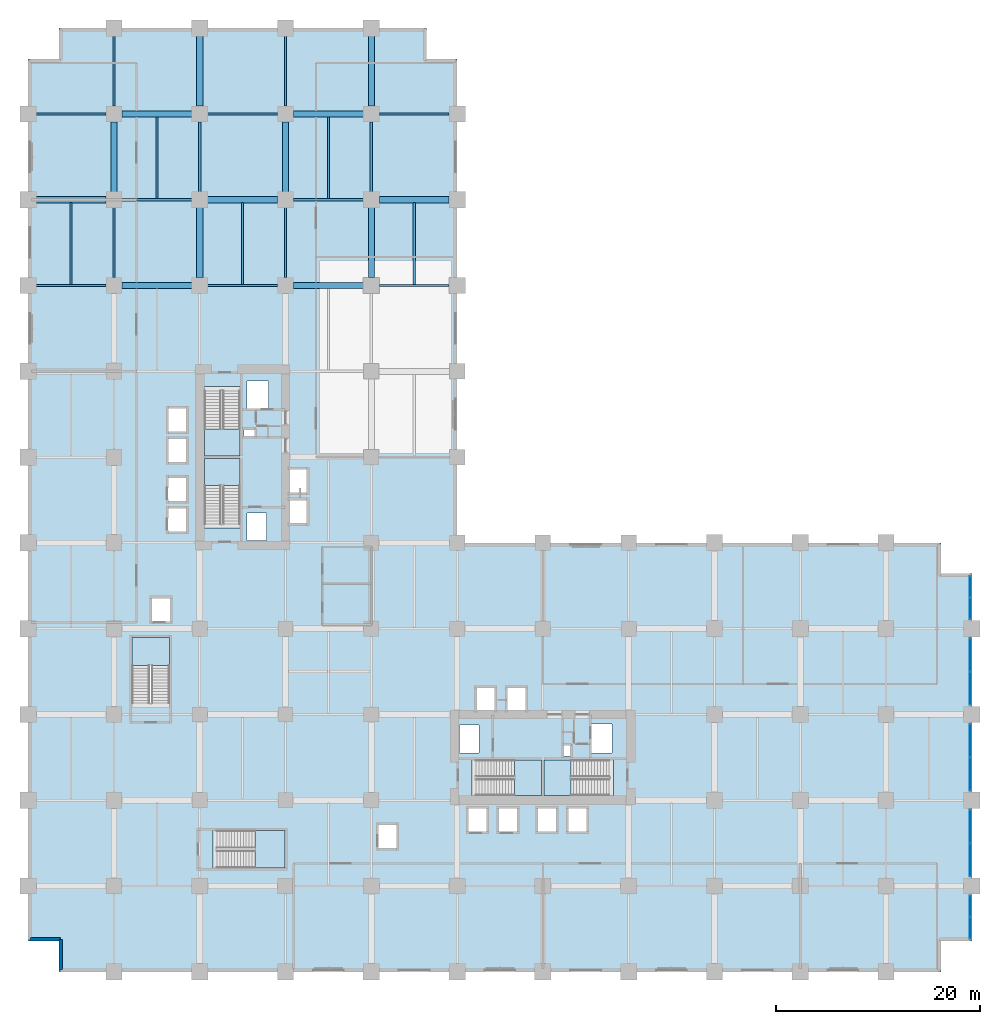
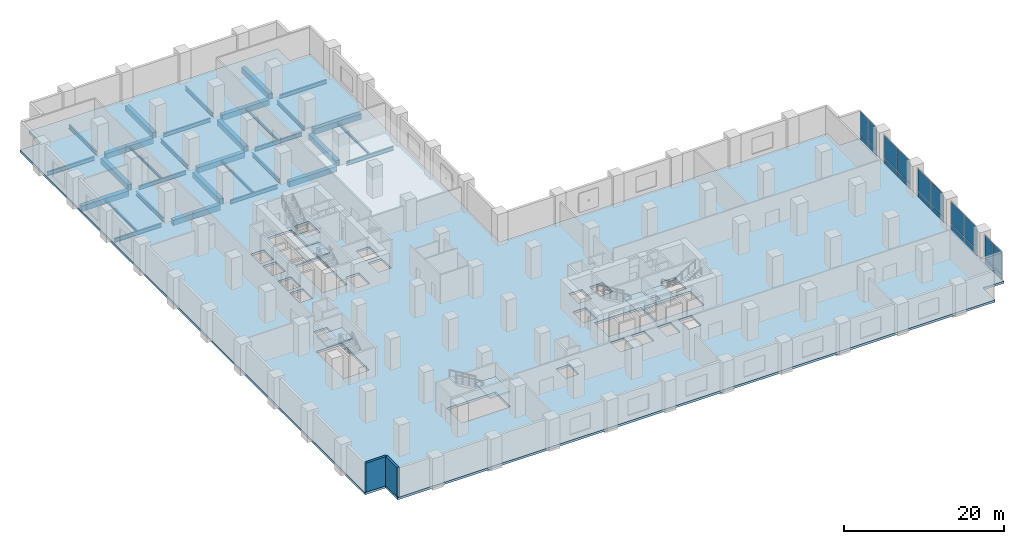
# One storey, part 8 of 22: 32 beams, 20 plates, 7 slabs, 2 walls, 11 elements without a shape of their own.
"""IFC4 building model written with IfcOpenShell, lengths in metres."""

from ifc_helpers import new_model, si_unit, direction, frame, frame_2d, origin, origin_2d, place, context, subcontext, project, spatial, polyline, rectangle, i_section, outline, extrude, material, layer, layer_set, material_profile, profile_set, type_object, element, aggregate, save


model = new_model("IFC4")

# Units and contexts
model_context = context("Model", 3, precision=1e-05, world=origin(), true_north=direction((0.0, 1.0)))
body_context = subcontext(model_context, "Body", "Model", "MODEL_VIEW")
ifc_project = project(units=[si_unit("LENGTHUNIT", "METRE"), si_unit("AREAUNIT", "SQUARE_METRE"), si_unit("VOLUMEUNIT", "CUBIC_METRE"), si_unit("PLANEANGLEUNIT", "RADIAN"), si_unit("MASSUNIT", "GRAM", prefix="KILO")], contexts=[model_context])

# Site, building, storey
site_placement = place(None, origin())
site = spatial("IfcSite", under=ifc_project, at=site_placement, CompositionType="ELEMENT")
building_placement = place(site_placement, origin())
building = spatial("IfcBuilding", under=site, at=building_placement, Name="Koriwani Terraces Tower", CompositionType="ELEMENT")
storey_placement = place(building_placement, frame((0.0, 0.0, 10.800048828125)))
storey = spatial("IfcBuildingStorey", under=building, at=storey_placement, Name="L02", CompositionType="ELEMENT", Elevation=10.800048828125)

# Beams
ifc_material_1 = material(Name="Concrete C60/75", Category="concrete")
ifc_material_profile_1 = material_profile(ifc_material_1, rectangle(XDim=0.60009765625, YDim=0.85009765625, at=origin_2d()), Name="Concrete C60/75", Category="LoadBearing")
ifc_profile_set_1 = profile_set([ifc_material_profile_1], Name="Concrete C60/75")
beam_type_1 = type_object("IfcBeamType", Name="BEAM_RC_GRID_600X850", PredefinedType="BEAM", material=ifc_profile_set_1)
for number, where, z_axis, x_axis, name in (
    (1, (9.179931640625, 67.199951171875, -0.775146484375), (1.0, 0.0, 0.0), (0.0, 1.0, 0.0), "L02 Grid Beam I (8.4-16.8m)"),
    (2, (25.97998046875, 67.199951171875, -0.775146484375), (1.0, 0.0, 0.0), (0.0, 1.0, 0.0), "L02 Grid Beam I (25.2-33.6m)"),
    (3, (0.780029296875, 75.60009765625, -0.775146484375), (1.0, 0.0, 0.0), (0.0, 1.0, 0.0), "L02 Grid Beam J (0.0-8.4m)"),
):
    element("IfcBeam", number, at=place(storey_placement, frame(where, z_axis=z_axis, x_axis=x_axis)), inside=storey, type_object=beam_type_1, Name=name, PredefinedType="BEAM", context=body_context, shape_type="SweptSolid", body=[
        extrude(rectangle(XDim=0.60009765625, YDim=0.85009765625, at=origin_2d()), origin(), (0.0, 0.0, 1.0), 6.840087890625),
    ])
beam_1_placement = place(storey_placement, frame((17.580078125, 75.60009765625, -0.775146484375), z_axis=(1.0, 0.0, 0.0), x_axis=(0.0, 1.0, 0.0)))
element("IfcBeam", 4, at=beam_1_placement, inside=storey, type_object=beam_type_1, Name="L02 Grid Beam J (16.8-25.2m)", PredefinedType="BEAM", context=body_context, shape_type="SweptSolid", body=[
    extrude(rectangle(XDim=0.60009765625, YDim=0.85009765625, at=origin_2d()), origin(), (0.0, 0.0, 1.0), 6.83984375),
])
for number, where, z_axis, x_axis, name in (
    (5, (34.3798828125, 75.60009765625, -0.775146484375), (1.0, 0.0, 0.0), (0.0, 1.0, 0.0), "L02 Grid Beam J (33.6-42.0m)"),
    (6, (9.179931640625, 84.0, -0.775146484375), (1.0, 0.0, 0.0), (0.0, 1.0, 0.0), "L02 Grid Beam K (8.4-16.8m)"),
    (7, (25.97998046875, 84.0, -0.775146484375), (1.0, 0.0, 0.0), (0.0, 1.0, 0.0), "L02 Grid Beam K (25.2-33.6m)"),
    (8, (8.39990234375, 76.3798828125, -0.775146484375), (0.0, 1.0, 0.0), (-1.0, 0.0, 0.0), "L02 Grid Beam 2 (75.6-84.0m)"),
    (9, (16.800048828125, 67.97998046875, -0.775146484375), (0.0, 1.0, 0.0), (-1.0, 0.0, 0.0), "L02 Grid Beam 3 (67.2-75.6m)"),
    (10, (16.800048828125, 84.780029296875, -0.775146484375), (0.0, 1.0, 0.0), (-1.0, 0.0, 0.0), "L02 Grid Beam 3 (84.0-92.4m)"),
    (11, (25.199951171875, 76.3798828125, -0.775146484375), (0.0, 1.0, 0.0), (-1.0, 0.0, 0.0), "L02 Grid Beam 4 (75.6-84.0m)"),
    (12, (33.60009765625, 67.97998046875, -0.775146484375), (0.0, 1.0, 0.0), (-1.0, 0.0, 0.0), "L02 Grid Beam 5 (67.2-75.6m)"),
    (13, (33.60009765625, 84.780029296875, -0.775146484375), (0.0, 1.0, 0.0), (-1.0, 0.0, 0.0), "L02 Grid Beam 5 (84.0-92.4m)"),
):
    element("IfcBeam", number, at=place(storey_placement, frame(where, z_axis=z_axis, x_axis=x_axis)), inside=storey, type_object=beam_type_1, Name=name, PredefinedType="BEAM", context=body_context, shape_type="SweptSolid", body=[
        extrude(rectangle(XDim=0.60009765625, YDim=0.85009765625, at=origin_2d()), origin(), (0.0, 0.0, 1.0), 6.840087890625),
    ])
ifc_material_2 = material(Name="Steel ASTM A572 Grade 50", Category="steel")
ifc_material_profile_2 = material_profile(ifc_material_2, i_section(OverallWidth=0.205078125, OverallDepth=0.35400390625, WebThickness=0.009521484375, FlangeThickness=0.016845703125, at=origin_2d()), Name="Steel ASTM A572 Grade 50", Category="LoadBearing")
ifc_profile_set_2 = profile_set([ifc_material_profile_2], Name="Steel ASTM A572 Grade 50")
beam_type_2 = type_object("IfcBeamType", Name="STEEL_BEAM_W360X79", PredefinedType="JOIST", material=ifc_profile_set_2)
beam_2_placement = place(storey_placement, frame((4.199951171875, 67.305419921875, -0.527099609375), z_axis=(0.0, 1.0, 0.0), x_axis=(-1.0, 0.0, 0.0)))
element("IfcBeam", 14, at=beam_2_placement, inside=storey, type_object=beam_type_2, Name="L02 Secondary Steel Floor Joist X=4.2m", PredefinedType="JOIST", context=body_context, shape_type="SweptSolid", body=[
    extrude(i_section(OverallWidth=0.205078125, OverallDepth=0.35400390625, WebThickness=0.009521484375, FlangeThickness=0.016845703125, at=origin_2d()), origin(), (0.0, 0.0, 1.0), 8.004638671875),
])
beam_3_placement = place(storey_placement, frame((12.60009765625, 75.70556640625, -0.527099609375), z_axis=(0.0, 1.0, 0.0), x_axis=(-1.0, 0.0, 0.0)))
element("IfcBeam", 15, at=beam_3_placement, inside=storey, type_object=beam_type_2, Name="L02 Secondary Steel Floor Joist X=12.6m", PredefinedType="JOIST", context=body_context, shape_type="SweptSolid", body=[
    extrude(i_section(OverallWidth=0.205078125, OverallDepth=0.35400390625, WebThickness=0.009521484375, FlangeThickness=0.016845703125, at=origin_2d()), origin(), (0.0, 0.0, 1.0), 8.00439453125),
])
beam_4_placement = place(storey_placement, frame((21.0, 67.305419921875, -0.527099609375), z_axis=(0.0, 1.0, 0.0), x_axis=(-1.0, 0.0, 0.0)))
element("IfcBeam", 16, at=beam_4_placement, inside=storey, type_object=beam_type_2, Name="L02 Secondary Steel Floor Joist X=21.0m", PredefinedType="JOIST", context=body_context, shape_type="SweptSolid", body=[
    extrude(i_section(OverallWidth=0.205078125, OverallDepth=0.35400390625, WebThickness=0.009521484375, FlangeThickness=0.016845703125, at=origin_2d()), origin(), (0.0, 0.0, 1.0), 8.004638671875),
])
beam_5_placement = place(storey_placement, frame((29.39990234375, 75.70556640625, -0.527099609375), z_axis=(0.0, 1.0, 0.0), x_axis=(-1.0, 0.0, 0.0)))
element("IfcBeam", 17, at=beam_5_placement, inside=storey, type_object=beam_type_2, Name="L02 Secondary Steel Floor Joist X=29.4m", PredefinedType="JOIST", context=body_context, shape_type="SweptSolid", body=[
    extrude(i_section(OverallWidth=0.205078125, OverallDepth=0.35400390625, WebThickness=0.009521484375, FlangeThickness=0.016845703125, at=origin_2d()), origin(), (0.0, 0.0, 1.0), 8.00439453125),
])
beam_6_placement = place(storey_placement, frame((37.800048828125, 67.305419921875, -0.527099609375), z_axis=(0.0, 1.0, 0.0), x_axis=(-1.0, 0.0, 0.0)))
element("IfcBeam", 18, at=beam_6_placement, inside=storey, type_object=beam_type_2, Name="L02 Secondary Steel Floor Joist X=37.8m", PredefinedType="JOIST", context=body_context, shape_type="SweptSolid", body=[
    extrude(i_section(OverallWidth=0.205078125, OverallDepth=0.35400390625, WebThickness=0.009521484375, FlangeThickness=0.016845703125, at=origin_2d()), origin(), (0.0, 0.0, 1.0), 8.004638671875),
])
ifc_material_profile_3 = material_profile(ifc_material_2, i_section(OverallWidth=0.23095703125, OverallDepth=0.616943359375, WebThickness=0.015380859375, FlangeThickness=0.0244140625, at=origin_2d()), Name="Steel ASTM A572 Grade 50", Category="LoadBearing")
ifc_profile_set_3 = profile_set([ifc_material_profile_3], Name="Steel ASTM A572 Grade 50")
beam_type_3 = type_object("IfcBeamType", Name="STEEL_BEAM_W610X195", PredefinedType="BEAM", material=ifc_profile_set_3)
beam_7_placement = place(storey_placement, frame((0.780029296875, 67.199951171875, -0.658447265625), z_axis=(1.0, 0.0, 0.0), x_axis=(0.0, 1.0, 0.0)))
element("IfcBeam", 19, at=beam_7_placement, inside=storey, type_object=beam_type_3, Name="L02 Grid Beam I (0.0-8.4m)", PredefinedType="BEAM", context=body_context, shape_type="SweptSolid", body=[
    extrude(i_section(OverallWidth=0.23095703125, OverallDepth=0.616943359375, WebThickness=0.015380859375, FlangeThickness=0.0244140625, at=origin_2d()), origin(), (0.0, 0.0, 1.0), 6.840087890625),
])
beam_8_placement = place(storey_placement, frame((17.580078125, 67.199951171875, -0.658447265625), z_axis=(1.0, 0.0, 0.0), x_axis=(0.0, 1.0, 0.0)))
element("IfcBeam", 20, at=beam_8_placement, inside=storey, type_object=beam_type_3, Name="L02 Grid Beam I (16.8-25.2m)", PredefinedType="BEAM", context=body_context, shape_type="SweptSolid", body=[
    extrude(i_section(OverallWidth=0.23095703125, OverallDepth=0.616943359375, WebThickness=0.015380859375, FlangeThickness=0.0244140625, at=origin_2d()), origin(), (0.0, 0.0, 1.0), 6.83984375),
])
for number, where, z_axis, x_axis, name in (
    (21, (34.3798828125, 67.199951171875, -0.658447265625), (1.0, 0.0, 0.0), (0.0, 1.0, 0.0), "L02 Grid Beam I (33.6-42.0m)"),
    (22, (9.179931640625, 75.60009765625, -0.658447265625), (1.0, 0.0, 0.0), (0.0, 1.0, 0.0), "L02 Grid Beam J (8.4-16.8m)"),
    (23, (25.97998046875, 75.60009765625, -0.658447265625), (1.0, 0.0, 0.0), (0.0, 1.0, 0.0), "L02 Grid Beam J (25.2-33.6m)"),
    (24, (0.780029296875, 84.0, -0.658447265625), (1.0, 0.0, 0.0), (0.0, 1.0, 0.0), "L02 Grid Beam K (0.0-8.4m)"),
):
    element("IfcBeam", number, at=place(storey_placement, frame(where, z_axis=z_axis, x_axis=x_axis)), inside=storey, type_object=beam_type_3, Name=name, PredefinedType="BEAM", context=body_context, shape_type="SweptSolid", body=[
        extrude(i_section(OverallWidth=0.23095703125, OverallDepth=0.616943359375, WebThickness=0.015380859375, FlangeThickness=0.0244140625, at=origin_2d()), origin(), (0.0, 0.0, 1.0), 6.840087890625),
    ])
beam_9_placement = place(storey_placement, frame((17.580078125, 84.0, -0.658447265625), z_axis=(1.0, 0.0, 0.0), x_axis=(0.0, 1.0, 0.0)))
element("IfcBeam", 25, at=beam_9_placement, inside=storey, type_object=beam_type_3, Name="L02 Grid Beam K (16.8-25.2m)", PredefinedType="BEAM", context=body_context, shape_type="SweptSolid", body=[
    extrude(i_section(OverallWidth=0.23095703125, OverallDepth=0.616943359375, WebThickness=0.015380859375, FlangeThickness=0.0244140625, at=origin_2d()), origin(), (0.0, 0.0, 1.0), 6.83984375),
])
for number, where, z_axis, x_axis, name in (
    (26, (34.3798828125, 84.0, -0.658447265625), (1.0, 0.0, 0.0), (0.0, 1.0, 0.0), "L02 Grid Beam K (33.6-42.0m)"),
    (27, (8.39990234375, 67.97998046875, -0.658447265625), (0.0, 1.0, 0.0), (-1.0, 0.0, 0.0), "L02 Grid Beam 2 (67.2-75.6m)"),
    (28, (8.39990234375, 84.780029296875, -0.658447265625), (0.0, 1.0, 0.0), (-1.0, 0.0, 0.0), "L02 Grid Beam 2 (84.0-92.4m)"),
    (29, (16.800048828125, 76.3798828125, -0.658447265625), (0.0, 1.0, 0.0), (-1.0, 0.0, 0.0), "L02 Grid Beam 3 (75.6-84.0m)"),
    (30, (25.199951171875, 67.97998046875, -0.658447265625), (0.0, 1.0, 0.0), (-1.0, 0.0, 0.0), "L02 Grid Beam 4 (67.2-75.6m)"),
    (31, (25.199951171875, 84.780029296875, -0.658447265625), (0.0, 1.0, 0.0), (-1.0, 0.0, 0.0), "L02 Grid Beam 4 (84.0-92.4m)"),
    (32, (33.60009765625, 76.3798828125, -0.658447265625), (0.0, 1.0, 0.0), (-1.0, 0.0, 0.0), "L02 Grid Beam 5 (75.6-84.0m)"),
):
    element("IfcBeam", number, at=place(storey_placement, frame(where, z_axis=z_axis, x_axis=x_axis)), inside=storey, type_object=beam_type_3, Name=name, PredefinedType="BEAM", context=body_context, shape_type="SweptSolid", body=[
        extrude(i_section(OverallWidth=0.23095703125, OverallDepth=0.616943359375, WebThickness=0.015380859375, FlangeThickness=0.0244140625, at=origin_2d()), origin(), (0.0, 0.0, 1.0), 6.840087890625),
    ])

# Curtain wall, plates
ifc_material_3 = material(Name="Anodised Bronze Aluminium", Category="aluminium")
ifc_layer_1 = layer(ifc_material_3, 0.199951171875, Name="Anodised Bronze Aluminium")
ifc_layer_set_1 = layer_set([ifc_layer_1], Name="Anodised Bronze Aluminium")
curtain_wall_type = type_object("IfcCurtainWallType", Name="CW_PODIUM_GALLERIA", PredefinedType="NOTDEFINED", material=ifc_layer_set_1)
curtain_wall_1_placement = place(storey_placement, origin())
curtain_wall_1 = element("IfcCurtainWall", 33, at=curtain_wall_1_placement, inside=storey, type_object=curtain_wall_type, Name="L02 Unitised Curtain Wall (E_TIP) Bay 1", PredefinedType="NOTDEFINED")
ifc_material_4 = material(Name="Tempered Laminated Low-E Glass", Category="glass")
ifc_layer_2 = layer(ifc_material_4, 0.028076171875, Name="Tempered Laminated Low-E Glass")
ifc_layer_set_2 = layer_set([ifc_layer_2], Name="Tempered Laminated Low-E Glass")
plate_type = type_object("IfcPlateType", Name="CW_PANEL_VISION_28", PredefinedType="CURTAIN_PANEL", material=ifc_layer_set_2)
plate_1_placement = place(storey_placement, frame((92.22509765625, 37.71240234375, 0.06494140625), z_axis=(0.0, 0.0, 1.0), x_axis=(0.0, -1.0, 0.0)))
plate_1 = element("IfcPlate", 34, at=plate_1_placement, type_object=plate_type, Name="CW-POD panel 1.1", PredefinedType="CURTAIN_PANEL", context=body_context, shape_type="SweptSolid", body=[
    extrude(rectangle(XDim=2.054931640625, YDim=0.028076171875, at=origin_2d()), origin(), (0.0, 0.0, 1.0), 0.802490234375),
])
plate_2_placement = place(storey_placement, frame((92.22509765625, 37.71240234375, 0.9326171875), z_axis=(0.0, 0.0, 1.0), x_axis=(0.0, -1.0, 0.0)))
plate_2 = element("IfcPlate", 35, at=plate_2_placement, type_object=plate_type, Name="CW-POD panel 1.2", PredefinedType="CURTAIN_PANEL", context=body_context, shape_type="SweptSolid", body=[
    extrude(rectangle(XDim=2.054931640625, YDim=0.028076171875, at=origin_2d()), origin(), (0.0, 0.0, 1.0), 3.452392578125),
])
plate_3_placement = place(storey_placement, frame((92.22509765625, 35.572509765625, 0.06494140625), z_axis=(0.0, 0.0, 1.0), x_axis=(0.0, -1.0, 0.0)))
plate_3 = element("IfcPlate", 36, at=plate_3_placement, type_object=plate_type, Name="CW-POD panel 2.1", PredefinedType="CURTAIN_PANEL", context=body_context, shape_type="SweptSolid", body=[
    extrude(rectangle(XDim=2.054931640625, YDim=0.028076171875, at=origin_2d()), origin(), (0.0, 0.0, 1.0), 0.802490234375),
])
plate_4_placement = place(storey_placement, frame((92.22509765625, 35.572509765625, 0.9326171875), z_axis=(0.0, 0.0, 1.0), x_axis=(0.0, -1.0, 0.0)))
plate_4 = element("IfcPlate", 37, at=plate_4_placement, type_object=plate_type, Name="CW-POD panel 2.2", PredefinedType="CURTAIN_PANEL", context=body_context, shape_type="SweptSolid", body=[
    extrude(rectangle(XDim=2.054931640625, YDim=0.028076171875, at=origin_2d()), origin(), (0.0, 0.0, 1.0), 3.452392578125),
])
aggregate(curtain_wall_1, [plate_1, plate_2, plate_3, plate_4])

curtain_wall_2_placement = place(storey_placement, origin())
curtain_wall_2 = element("IfcCurtainWall", 38, at=curtain_wall_2_placement, inside=storey, type_object=curtain_wall_type, Name="L02 Unitised Curtain Wall (E_TIP) Bay 2", PredefinedType="NOTDEFINED")
plate_5_placement = place(storey_placement, frame((92.22509765625, 31.048828125, 0.06494140625), z_axis=(0.0, 0.0, 1.0), x_axis=(0.0, -1.0, 0.0)))
plate_5 = element("IfcPlate", 39, at=plate_5_placement, type_object=plate_type, Name="CW-POD panel 1.1", PredefinedType="CURTAIN_PANEL", context=body_context, shape_type="SweptSolid", body=[
    extrude(rectangle(XDim=3.21240234375, YDim=0.028076171875, at=origin_2d()), origin(), (0.0, 0.0, 1.0), 0.802490234375),
])
plate_6_placement = place(storey_placement, frame((92.22509765625, 31.048828125, 0.9326171875), z_axis=(0.0, 0.0, 1.0), x_axis=(0.0, -1.0, 0.0)))
plate_6 = element("IfcPlate", 40, at=plate_6_placement, type_object=plate_type, Name="CW-POD panel 1.2", PredefinedType="CURTAIN_PANEL", context=body_context, shape_type="SweptSolid", body=[
    extrude(rectangle(XDim=3.21240234375, YDim=0.028076171875, at=origin_2d()), origin(), (0.0, 0.0, 1.0), 3.452392578125),
])
plate_7_placement = place(storey_placement, frame((92.22509765625, 27.751220703125, 0.06494140625), z_axis=(0.0, 0.0, 1.0), x_axis=(0.0, -1.0, 0.0)))
plate_7 = element("IfcPlate", 41, at=plate_7_placement, type_object=plate_type, Name="CW-POD panel 2.1", PredefinedType="CURTAIN_PANEL", context=body_context, shape_type="SweptSolid", body=[
    extrude(rectangle(XDim=3.21240234375, YDim=0.028076171875, at=origin_2d()), origin(), (0.0, 0.0, 1.0), 0.802490234375),
])
plate_8_placement = place(storey_placement, frame((92.22509765625, 27.751220703125, 0.9326171875), z_axis=(0.0, 0.0, 1.0), x_axis=(0.0, -1.0, 0.0)))
plate_8 = element("IfcPlate", 42, at=plate_8_placement, type_object=plate_type, Name="CW-POD panel 2.2", PredefinedType="CURTAIN_PANEL", context=body_context, shape_type="SweptSolid", body=[
    extrude(rectangle(XDim=3.21240234375, YDim=0.028076171875, at=origin_2d()), origin(), (0.0, 0.0, 1.0), 3.452392578125),
])
aggregate(curtain_wall_2, [plate_5, plate_6, plate_7, plate_8])

curtain_wall_3_placement = place(storey_placement, origin())
curtain_wall_3 = element("IfcCurtainWall", 43, at=curtain_wall_3_placement, inside=storey, type_object=curtain_wall_type, Name="L02 Unitised Curtain Wall (E_TIP) Bay 3", PredefinedType="NOTDEFINED")
plate_9_placement = place(storey_placement, frame((92.22509765625, 22.648681640625, 0.06494140625), z_axis=(0.0, 0.0, 1.0), x_axis=(0.0, -1.0, 0.0)))
plate_9 = element("IfcPlate", 44, at=plate_9_placement, type_object=plate_type, Name="CW-POD panel 1.1", PredefinedType="CURTAIN_PANEL", context=body_context, shape_type="SweptSolid", body=[
    extrude(rectangle(XDim=3.21240234375, YDim=0.028076171875, at=origin_2d()), origin(), (0.0, 0.0, 1.0), 0.802490234375),
])
plate_10_placement = place(storey_placement, frame((92.22509765625, 22.648681640625, 0.9326171875), z_axis=(0.0, 0.0, 1.0), x_axis=(0.0, -1.0, 0.0)))
plate_10 = element("IfcPlate", 45, at=plate_10_placement, type_object=plate_type, Name="CW-POD panel 1.2", PredefinedType="CURTAIN_PANEL", context=body_context, shape_type="SweptSolid", body=[
    extrude(rectangle(XDim=3.21240234375, YDim=0.028076171875, at=origin_2d()), origin(), (0.0, 0.0, 1.0), 3.452392578125),
])
plate_11_placement = place(storey_placement, frame((92.22509765625, 19.351318359375, 0.06494140625), z_axis=(0.0, 0.0, 1.0), x_axis=(0.0, -1.0, 0.0)))
plate_11 = element("IfcPlate", 46, at=plate_11_placement, type_object=plate_type, Name="CW-POD panel 2.1", PredefinedType="CURTAIN_PANEL", context=body_context, shape_type="SweptSolid", body=[
    extrude(rectangle(XDim=3.21240234375, YDim=0.028076171875, at=origin_2d()), origin(), (0.0, 0.0, 1.0), 0.802490234375),
])
plate_12_placement = place(storey_placement, frame((92.22509765625, 19.351318359375, 0.9326171875), z_axis=(0.0, 0.0, 1.0), x_axis=(0.0, -1.0, 0.0)))
plate_12 = element("IfcPlate", 47, at=plate_12_placement, type_object=plate_type, Name="CW-POD panel 2.2", PredefinedType="CURTAIN_PANEL", context=body_context, shape_type="SweptSolid", body=[
    extrude(rectangle(XDim=3.21240234375, YDim=0.028076171875, at=origin_2d()), origin(), (0.0, 0.0, 1.0), 3.452392578125),
])
aggregate(curtain_wall_3, [plate_9, plate_10, plate_11, plate_12])

curtain_wall_4_placement = place(storey_placement, origin())
curtain_wall_4 = element("IfcCurtainWall", 48, at=curtain_wall_4_placement, inside=storey, type_object=curtain_wall_type, Name="L02 Unitised Curtain Wall (E_TIP) Bay 4", PredefinedType="NOTDEFINED")
plate_13_placement = place(storey_placement, frame((92.22509765625, 14.248779296875, 0.06494140625), z_axis=(0.0, 0.0, 1.0), x_axis=(0.0, -1.0, 0.0)))
plate_13 = element("IfcPlate", 49, at=plate_13_placement, type_object=plate_type, Name="CW-POD panel 1.1", PredefinedType="CURTAIN_PANEL", context=body_context, shape_type="SweptSolid", body=[
    extrude(rectangle(XDim=3.21240234375, YDim=0.028076171875, at=origin_2d()), origin(), (0.0, 0.0, 1.0), 0.802490234375),
])
plate_14_placement = place(storey_placement, frame((92.22509765625, 14.248779296875, 0.9326171875), z_axis=(0.0, 0.0, 1.0), x_axis=(0.0, -1.0, 0.0)))
plate_14 = element("IfcPlate", 50, at=plate_14_placement, type_object=plate_type, Name="CW-POD panel 1.2", PredefinedType="CURTAIN_PANEL", context=body_context, shape_type="SweptSolid", body=[
    extrude(rectangle(XDim=3.21240234375, YDim=0.028076171875, at=origin_2d()), origin(), (0.0, 0.0, 1.0), 3.452392578125),
])
plate_15_placement = place(storey_placement, frame((92.22509765625, 10.951171875, 0.06494140625), z_axis=(0.0, 0.0, 1.0), x_axis=(0.0, -1.0, 0.0)))
plate_15 = element("IfcPlate", 51, at=plate_15_placement, type_object=plate_type, Name="CW-POD panel 2.1", PredefinedType="CURTAIN_PANEL", context=body_context, shape_type="SweptSolid", body=[
    extrude(rectangle(XDim=3.21240234375, YDim=0.028076171875, at=origin_2d()), origin(), (0.0, 0.0, 1.0), 0.802490234375),
])
plate_16_placement = place(storey_placement, frame((92.22509765625, 10.951171875, 0.9326171875), z_axis=(0.0, 0.0, 1.0), x_axis=(0.0, -1.0, 0.0)))
plate_16 = element("IfcPlate", 52, at=plate_16_placement, type_object=plate_type, Name="CW-POD panel 2.2", PredefinedType="CURTAIN_PANEL", context=body_context, shape_type="SweptSolid", body=[
    extrude(rectangle(XDim=3.21240234375, YDim=0.028076171875, at=origin_2d()), origin(), (0.0, 0.0, 1.0), 3.452392578125),
])
aggregate(curtain_wall_4, [plate_13, plate_14, plate_15, plate_16])

curtain_wall_5_placement = place(storey_placement, origin())
curtain_wall_5 = element("IfcCurtainWall", 53, at=curtain_wall_5_placement, inside=storey, type_object=curtain_wall_type, Name="L02 Unitised Curtain Wall (E_TIP) Bay 5", PredefinedType="NOTDEFINED")
plate_17_placement = place(storey_placement, frame((92.22509765625, 6.427490234375, 0.06494140625), z_axis=(0.0, 0.0, 1.0), x_axis=(0.0, -1.0, 0.0)))
plate_17 = element("IfcPlate", 54, at=plate_17_placement, type_object=plate_type, Name="CW-POD panel 1.1", PredefinedType="CURTAIN_PANEL", context=body_context, shape_type="SweptSolid", body=[
    extrude(rectangle(XDim=2.054931640625, YDim=0.028076171875, at=origin_2d()), origin(), (0.0, 0.0, 1.0), 0.802490234375),
])
plate_18_placement = place(storey_placement, frame((92.22509765625, 6.427490234375, 0.9326171875), z_axis=(0.0, 0.0, 1.0), x_axis=(0.0, -1.0, 0.0)))
plate_18 = element("IfcPlate", 55, at=plate_18_placement, type_object=plate_type, Name="CW-POD panel 1.2", PredefinedType="CURTAIN_PANEL", context=body_context, shape_type="SweptSolid", body=[
    extrude(rectangle(XDim=2.054931640625, YDim=0.028076171875, at=origin_2d()), origin(), (0.0, 0.0, 1.0), 3.452392578125),
])
plate_19_placement = place(storey_placement, frame((92.22509765625, 4.28759765625, 0.06494140625), z_axis=(0.0, 0.0, 1.0), x_axis=(0.0, -1.0, 0.0)))
plate_19 = element("IfcPlate", 56, at=plate_19_placement, type_object=plate_type, Name="CW-POD panel 2.1", PredefinedType="CURTAIN_PANEL", context=body_context, shape_type="SweptSolid", body=[
    extrude(rectangle(XDim=2.054931640625, YDim=0.028076171875, at=origin_2d()), origin(), (0.0, 0.0, 1.0), 0.802490234375),
])
plate_20_placement = place(storey_placement, frame((92.22509765625, 4.28759765625, 0.9326171875), z_axis=(0.0, 0.0, 1.0), x_axis=(0.0, -1.0, 0.0)))
plate_20 = element("IfcPlate", 57, at=plate_20_placement, type_object=plate_type, Name="CW-POD panel 2.2", PredefinedType="CURTAIN_PANEL", context=body_context, shape_type="SweptSolid", body=[
    extrude(rectangle(XDim=2.054931640625, YDim=0.028076171875, at=origin_2d()), origin(), (0.0, 0.0, 1.0), 3.452392578125),
])
aggregate(curtain_wall_5, [plate_17, plate_18, plate_19, plate_20])

# Slab
ifc_material_5 = material(Name="Concrete C50/60", Category="concrete")
ifc_layer_3 = layer(ifc_material_5, 0.35009765625, Name="Concrete C50/60")
ifc_layer_set_3 = layer_set([ifc_layer_3], Name="Concrete C50/60")
slab_type_1 = type_object("IfcSlabType", Name="SLAB_PODIUM_350", PredefinedType="FLOOR", material=ifc_layer_set_3)
slab_1_placement = place(storey_placement, frame((0.0, 0.0, -0.35009765625)))
element("IfcSlab", 58, at=slab_1_placement, inside=storey, type_object=slab_type_1, Name="L02 Structural Floor Slab", PredefinedType="FLOOR", context=body_context, shape_type="SweptSolid", body=[
    extrude(outline(polyline([(3.0, 0.0), (89.39990234375, 0.0), (89.39990234375, 3.0), (92.39990234375, 3.0), (92.39990234375, 39.0), (89.39990234375, 39.0), (89.39990234375, 42.0), (42.0, 42.0), (42.0, 89.39990234375), (39.0, 89.39990234375), (39.0, 92.39990234375), (3.0, 92.39990234375), (3.0, 89.39990234375), (0.0, 89.39990234375), (0.0, 3.0), (3.0, 3.0), (3.0, 0.0)]), holes=[polyline([(17.25, 43.4599609375), (20.75, 43.4599609375), (20.75, 50.25), (17.25, 50.25), (17.25, 43.4599609375)]), polyline([(17.25, 50.5), (20.75, 50.5), (20.75, 57.2900390625), (17.25, 57.2900390625), (17.25, 50.5)]), polyline([(43.4599609375, 17.25), (50.25, 17.25), (50.25, 20.75), (43.4599609375, 20.75), (43.4599609375, 17.25)]), polyline([(50.5, 17.25), (57.2900390625, 17.25), (57.2900390625, 20.75), (50.5, 20.75), (50.5, 17.25)]), polyline([(10.14990234375, 25.909912109375), (13.85009765625, 25.909912109375), (13.85009765625, 32.75), (10.14990234375, 32.75), (10.14990234375, 25.909912109375)]), polyline([(18.110107421875, 10.14990234375), (25.14990234375, 10.14990234375), (25.14990234375, 13.85009765625), (18.110107421875, 13.85009765625), (18.110107421875, 10.14990234375)]), polyline([(12.050048828125, 34.25), (13.949951171875, 34.25), (13.949951171875, 36.64990234375), (12.050048828125, 36.64990234375), (12.050048828125, 34.25)]), polyline([(34.25, 12.050048828125), (36.14990234375, 12.050048828125), (36.14990234375, 14.449951171875), (34.25, 14.449951171875), (34.25, 12.050048828125)]), polyline([(13.64990234375, 43.050048828125), (15.550048828125, 43.050048828125), (15.550048828125, 45.449951171875), (13.64990234375, 45.449951171875), (13.64990234375, 43.050048828125)]), polyline([(13.64990234375, 46.050048828125), (15.550048828125, 46.050048828125), (15.550048828125, 48.449951171875), (13.64990234375, 48.449951171875), (13.64990234375, 46.050048828125)]), polyline([(43.050048828125, 13.64990234375), (44.949951171875, 13.64990234375), (44.949951171875, 16.050048828125), (43.050048828125, 16.050048828125), (43.050048828125, 13.64990234375)]), polyline([(46.050048828125, 13.64990234375), (47.949951171875, 13.64990234375), (47.949951171875, 16.050048828125), (46.050048828125, 16.050048828125), (46.050048828125, 13.64990234375)]), polyline([(13.64990234375, 49.85009765625), (15.550048828125, 49.85009765625), (15.550048828125, 52.25), (13.64990234375, 52.25), (13.64990234375, 49.85009765625)]), polyline([(13.64990234375, 52.85009765625), (15.550048828125, 52.85009765625), (15.550048828125, 55.25), (13.64990234375, 55.25), (13.64990234375, 52.85009765625)]), polyline([(49.85009765625, 13.64990234375), (51.75, 13.64990234375), (51.75, 16.050048828125), (49.85009765625, 16.050048828125), (49.85009765625, 13.64990234375)]), polyline([(52.85009765625, 13.64990234375), (54.75, 13.64990234375), (54.75, 16.050048828125), (52.85009765625, 16.050048828125), (52.85009765625, 13.64990234375)]), polyline([(25.449951171875, 43.85009765625), (27.35009765625, 43.85009765625), (27.35009765625, 46.25), (25.449951171875, 46.25), (25.449951171875, 43.85009765625)]), polyline([(25.449951171875, 46.85009765625), (27.35009765625, 46.85009765625), (27.35009765625, 49.25), (25.449951171875, 49.25), (25.449951171875, 46.85009765625)]), polyline([(43.85009765625, 25.449951171875), (45.75, 25.449951171875), (45.75, 27.85009765625), (43.85009765625, 27.85009765625), (43.85009765625, 25.449951171875)]), polyline([(46.85009765625, 25.449951171875), (48.75, 25.449951171875), (48.75, 27.85009765625), (46.85009765625, 27.85009765625), (46.85009765625, 25.449951171875)]), polyline([(21.449951171875, 55.050048828125), (23.550048828125, 55.050048828125), (23.550048828125, 57.85009765625), (21.449951171875, 57.85009765625), (21.449951171875, 55.050048828125)]), polyline([(55.050048828125, 21.449951171875), (57.14990234375, 21.449951171875), (57.14990234375, 24.25), (55.050048828125, 24.25), (55.050048828125, 21.449951171875)]), polyline([(21.449951171875, 42.25), (23.35009765625, 42.25), (23.35009765625, 44.949951171875), (21.449951171875, 44.949951171875), (21.449951171875, 42.25)]), polyline([(42.25, 21.449951171875), (44.14990234375, 21.449951171875), (44.14990234375, 24.14990234375), (42.25, 24.14990234375), (42.25, 21.449951171875)]), polyline([(21.14990234375, 52.419921875), (22.219970703125, 52.419921875), (22.219970703125, 53.179931640625), (21.14990234375, 53.179931640625), (21.14990234375, 52.419921875)]), polyline([(52.419921875, 21.14990234375), (53.179931640625, 21.14990234375), (53.179931640625, 22.219970703125), (52.419921875, 22.219970703125), (52.419921875, 21.14990234375)])]), origin(), (0.0, 0.0, 1.0), 0.35009765625),
])

# Stair, slab
ifc_material_6 = material(Name="Concrete C40/50", Category="concrete")
stair_type_1 = type_object("IfcStairType", Name="STAIR_CORE_DOGLEG_1650", PredefinedType="TWO_STRAIGHT_RUN_STAIR", material=ifc_material_6)
stair_1_placement = place(storey_placement, origin())
stair_1 = element("IfcStair", 59, at=stair_1_placement, inside=storey, type_object=stair_type_1, Name="L02 West Core Exit Stair 1", PredefinedType="HALF_TURN_STAIR")
ifc_layer_4 = layer(ifc_material_6, 0.199951171875, Name="Concrete C40/50")
ifc_layer_set_4 = layer_set([ifc_layer_4], Name="Concrete C40/50")
slab_type_2 = type_object("IfcSlabType", Name="SLAB_STAIR_LANDING_200", PredefinedType="LANDING", material=ifc_layer_set_4)
slab_2_placement = place(storey_placement, frame((0.0, 0.0, 2.199951171875)))
slab_2 = element("IfcSlab", 60, at=slab_2_placement, type_object=slab_type_2, Name="ST-W1 landing 1", PredefinedType="LANDING", context=body_context, shape_type="SweptSolid", body=[
    extrude(outline(polyline([(20.75, 47.6201171875), (20.75, 50.25), (17.25, 50.25), (17.25, 47.6201171875), (20.75, 47.6201171875)])), origin(), (0.0, 0.0, 1.0), 0.199951171875),
])
aggregate(stair_1, [slab_2])

stair_2_placement = place(storey_placement, origin())
stair_2 = element("IfcStair", 61, at=stair_2_placement, inside=storey, type_object=stair_type_1, Name="L02 West Core Exit Stair 2", PredefinedType="HALF_TURN_STAIR")
slab_3_placement = place(storey_placement, frame((0.0, 0.0, 2.199951171875)))
slab_3 = element("IfcSlab", 62, at=slab_3_placement, type_object=slab_type_2, Name="ST-W2 landing 1", PredefinedType="LANDING", context=body_context, shape_type="SweptSolid", body=[
    extrude(outline(polyline([(17.25, 53.1298828125), (17.25, 50.5), (20.75, 50.5), (20.75, 53.1298828125), (17.25, 53.1298828125)])), origin(), (0.0, 0.0, 1.0), 0.199951171875),
])
aggregate(stair_2, [slab_3])

stair_3_placement = place(storey_placement, origin())
stair_3 = element("IfcStair", 63, at=stair_3_placement, inside=storey, type_object=stair_type_1, Name="L02 East Core Exit Stair 1", PredefinedType="HALF_TURN_STAIR")
slab_4_placement = place(storey_placement, frame((0.0, 0.0, 2.199951171875)))
slab_4 = element("IfcSlab", 64, at=slab_4_placement, type_object=slab_type_2, Name="ST-E1 landing 1", PredefinedType="LANDING", context=body_context, shape_type="SweptSolid", body=[
    extrude(outline(polyline([(47.6201171875, 17.25), (50.25, 17.25), (50.25, 20.75), (47.6201171875, 20.75), (47.6201171875, 17.25)])), origin(), (0.0, 0.0, 1.0), 0.199951171875),
])
aggregate(stair_3, [slab_4])

stair_4_placement = place(storey_placement, origin())
stair_4 = element("IfcStair", 65, at=stair_4_placement, inside=storey, type_object=stair_type_1, Name="L02 East Core Exit Stair 2", PredefinedType="HALF_TURN_STAIR")
slab_5_placement = place(storey_placement, frame((0.0, 0.0, 2.199951171875)))
slab_5 = element("IfcSlab", 66, at=slab_5_placement, type_object=slab_type_2, Name="ST-E2 landing 1", PredefinedType="LANDING", context=body_context, shape_type="SweptSolid", body=[
    extrude(outline(polyline([(53.1298828125, 20.75), (50.5, 20.75), (50.5, 17.25), (53.1298828125, 17.25), (53.1298828125, 20.75)])), origin(), (0.0, 0.0, 1.0), 0.199951171875),
])
aggregate(stair_4, [slab_5])

stair_type_2 = type_object("IfcStairType", Name="STAIR_PODIUM_DOGLEG_1750", PredefinedType="TWO_STRAIGHT_RUN_STAIR", material=ifc_material_6)
stair_5_placement = place(storey_placement, origin())
stair_5 = element("IfcStair", 67, at=stair_5_placement, inside=storey, type_object=stair_type_2, Name="L02 Podium West Exit Stair", PredefinedType="HALF_TURN_STAIR")
slab_6_placement = place(storey_placement, frame((0.0, 0.0, 2.199951171875)))
slab_6 = element("IfcSlab", 68, at=slab_6_placement, type_object=slab_type_2, Name="ST-P1 landing 1", PredefinedType="LANDING", context=body_context, shape_type="SweptSolid", body=[
    extrude(outline(polyline([(13.85009765625, 30.0048828125), (13.85009765625, 32.75), (10.14990234375, 32.75), (10.14990234375, 30.0048828125), (13.85009765625, 30.0048828125)])), origin(), (0.0, 0.0, 1.0), 0.199951171875),
])
aggregate(stair_5, [slab_6])

stair_6_placement = place(storey_placement, origin())
stair_6 = element("IfcStair", 69, at=stair_6_placement, inside=storey, type_object=stair_type_2, Name="L02 Podium South Exit Stair", PredefinedType="HALF_TURN_STAIR")
slab_7_placement = place(storey_placement, frame((0.0, 0.0, 2.199951171875)))
slab_7 = element("IfcSlab", 70, at=slab_7_placement, type_object=slab_type_2, Name="ST-P2 landing 1", PredefinedType="LANDING", context=body_context, shape_type="SweptSolid", body=[
    extrude(outline(polyline([(22.205078125, 10.14990234375), (25.14990234375, 10.14990234375), (25.14990234375, 13.85009765625), (22.205078125, 13.85009765625), (22.205078125, 10.14990234375)])), origin(), (0.0, 0.0, 1.0), 0.199951171875),
])
aggregate(stair_6, [slab_7])

# Walls
ifc_layer_5 = layer(ifc_material_5, 0.35009765625, Name="Concrete C50/60")
ifc_layer_set_5 = layer_set([ifc_layer_5], Name="Concrete C50/60")
wall_type = type_object("IfcWallType", Name="WALL_EXT_BRUTALIST_350", PredefinedType="STANDARD", material=ifc_layer_set_5)
for number, where, z_axis, x_axis, name in (
    (71, (3.175048828125, 0.175048828125, 0.0), (0.0, 0.0, 1.0), (0.0, 1.0, 0.0), "L02 Fair-Faced Brutalist Exterior Wall (N0)"),
    (72, (3.175048828125, 3.175048828125, 0.0), (0.0, 0.0, 1.0), (-1.0, 0.0, 0.0), "L02 Fair-Faced Brutalist Exterior Wall (N1)"),
):
    element("IfcWall", number, at=place(storey_placement, frame(where, z_axis=z_axis, x_axis=x_axis)), inside=storey, type_object=wall_type, Name=name, PredefinedType="STANDARD", context=body_context, shape_type="SweptSolid", body=[
        extrude(rectangle(XDim=3.0, YDim=0.35009765625, at=frame_2d((1.5, 0.0))), origin(), (0.0, 0.0, 1.0), 4.449951171875),
    ])

save(model, "model.ifc")
